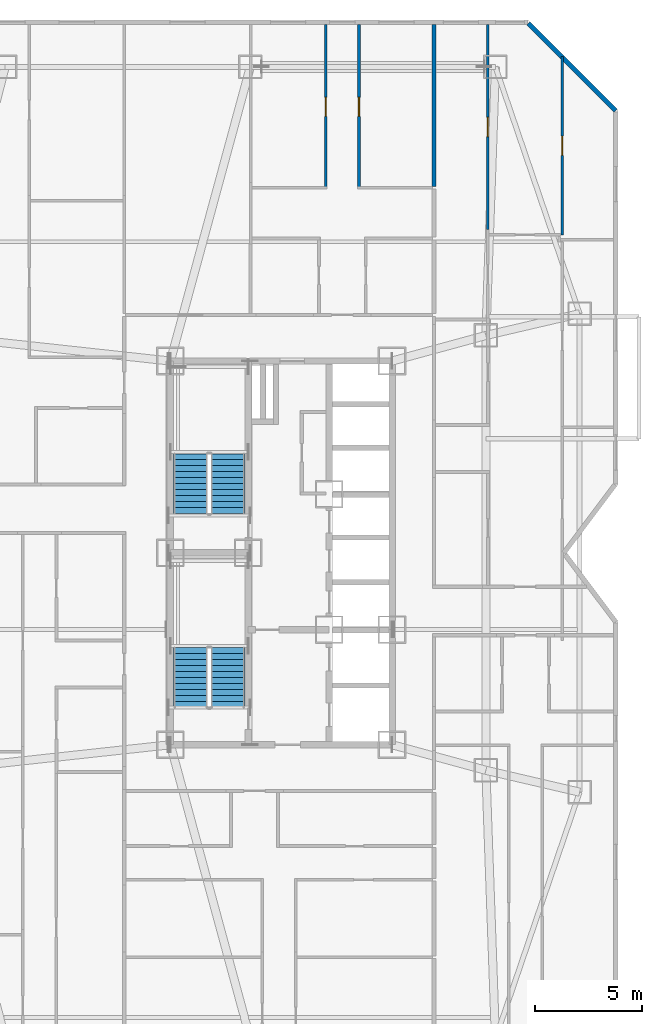
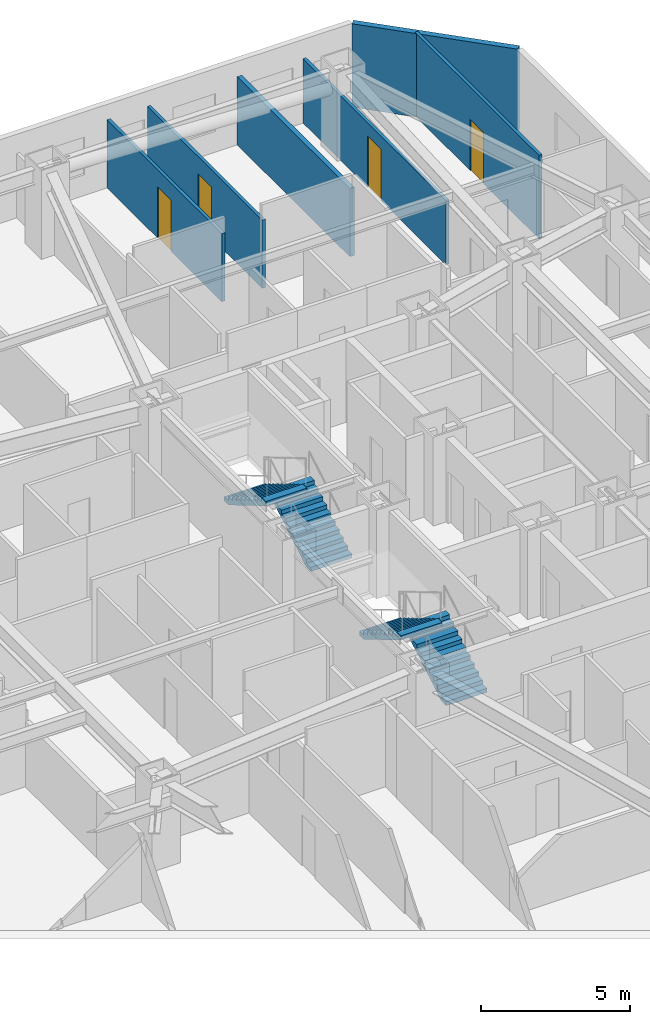
# One storey, part 12 of 13: 6 walls, 4 doors, 4 stair flights, 4 openings, 2 elements without a shape of their own.
"""IFC4 building model written with IfcOpenShell, lengths in metres."""

from ifc_helpers import new_model, si_unit, direction, frame, frame_2d, origin, place, context, subcontext, project, spatial, polyline, rectangle, outline, extrude, material, layer, layer_set, type_object, element, fill, aggregate, save


model = new_model("IFC4")

# Units and contexts
model_context = context("Model", 3, precision=1e-05, world=origin(), true_north=direction((0.0, 1.0)))
body_context = subcontext(model_context, "Body", "Model", "MODEL_VIEW")
ifc_project = project(units=[si_unit("LENGTHUNIT", "METRE"), si_unit("AREAUNIT", "SQUARE_METRE"), si_unit("VOLUMEUNIT", "CUBIC_METRE"), si_unit("PLANEANGLEUNIT", "RADIAN"), si_unit("MASSUNIT", "GRAM", prefix="KILO")], contexts=[model_context])

# Site, building, storey
site_placement = place(None, origin())
site = spatial("IfcSite", under=ifc_project, at=site_placement, CompositionType="ELEMENT")
building_placement = place(site_placement, origin())
building = spatial("IfcBuilding", under=site, at=building_placement, Name="Khamvora Tower", CompositionType="ELEMENT")
storey_placement = place(building_placement, frame((0.0, 0.0, 62.5)))
storey = spatial("IfcBuildingStorey", under=building, at=storey_placement, Name="L15", CompositionType="ELEMENT", Elevation=62.5)

# Walls
ifc_material_1 = material(Name="Acoustic Double-Stud Fire Wall", Category="gypsum")
ifc_layer_1 = layer(ifc_material_1, 0.179931640625)
ifc_layer_set_1 = layer_set([ifc_layer_1], Name="Acoustic Double-Stud Fire Wall")
wall_type_1 = type_object("IfcWallType", Name="WAL-CORR-180", PredefinedType="STANDARD", material=ifc_layer_set_1)
wall_1_placement = place(storey_placement, frame((41.364990234375, 52.7880859375, 0.0), z_axis=(0.0, 0.0, 1.0), x_axis=(0.0, -1.0, 0.0)))
element("IfcWall", 1, at=wall_1_placement, inside=storey, type_object=wall_type_1, Name="L15 interior partition wall 135", PredefinedType="STANDARD", context=body_context, shape_type="SweptSolid", body=[
    extrude(rectangle(XDim=7.59814453125, YDim=0.179931640625, at=frame_2d((3.799072265625, 0.0))), origin(), (0.0, 0.0, 1.0), 2.802978515625),
])
ifc_material_2 = material(Name="Precast concrete C40/50", Category="concrete")
ifc_layer_2 = layer(ifc_material_2, 0.219970703125)
ifc_layer_set_2 = layer_set([ifc_layer_2], Name="Precast concrete C40/50")
wall_type_2 = type_object("IfcWallType", Name="WAL-EXT-220", PredefinedType="STANDARD", material=ifc_layer_set_2)
wall_2_placement = place(storey_placement, frame((45.802001953125, 52.842041015625, 0.0), z_axis=(0.0, 0.0, 1.0), x_axis=(0.707085666273, -0.70712789547, 0.0)))
element("IfcWall", 2, at=wall_2_placement, inside=storey, type_object=wall_type_2, Name="L15 exterior facade wall 08.1", PredefinedType="STANDARD", context=body_context, shape_type="SweptSolid", body=[
    extrude(rectangle(XDim=5.78125, YDim=0.219970703125, at=frame_2d((2.890625, 0.0))), origin(), (0.0, 0.0, 1.0), 3.429931640625),
])

# Wall, opening, door
ifc_material_3 = material(Name="Gypsum Plasterboard Partition", Category="gypsum")
ifc_layer_3 = layer(ifc_material_3, 0.1201171875)
ifc_layer_set_3 = layer_set([ifc_layer_3], Name="Gypsum Plasterboard Partition")
wall_type_3 = type_object("IfcWallType", Name="WAL-PART-120", PredefinedType="PARTITIONING", material=ifc_layer_set_3)
wall_3_placement = place(storey_placement, frame((36.280029296875, 45.06005859375, 0.0), z_axis=(0.0, 0.0, 1.0), x_axis=(0.0, 1.0, 0.0)))
wall_3 = element("IfcWall", 3, at=wall_3_placement, inside=storey, type_object=wall_type_3, Name="L15 interior partition wall 130", PredefinedType="PARTITIONING", context=body_context, shape_type="SweptSolid", body=[
    extrude(rectangle(XDim=7.72802734375, YDim=0.1201171875, at=frame_2d((3.864013671875, 0.0))), origin(), (0.0, 0.0, 1.0), 2.802978515625),
])
opening_1_placement = place(wall_3_placement, frame((3.4140625, 0.0, 0.0)))
opening_1 = element("IfcOpeningElement", 4, at=opening_1_placement, cuts=wall_3, Name="Opening D-RM1", PredefinedType="OPENING", context=body_context, shape_type="SweptSolid", body=[
    extrude(rectangle(XDim=0.89990234375, YDim=2.10009765625, at=frame_2d((0.449951171875, 1.050048828125))), frame((0.0, 0.070068359375, 0.0), z_axis=(0.0, -1.0, 0.0), x_axis=(1.0, 0.0, 0.0)), (0.0, 0.0, 1.0), 0.14013671875),
])
ifc_material_4 = material(Name="Powder-Coated Steel and Hardwood Leaf", Category="steel")
door_type = type_object("IfcDoorType", Name="DOR-ROOM-900", OperationType="NOTDEFINED", PredefinedType="DOOR", material=ifc_material_4)
door_1_placement = place(opening_1_placement, origin())
door_1 = element("IfcDoor", 5, at=door_1_placement, inside=storey, type_object=door_type, Name="L15 interior door 15NAH-15NAL", OperationType="SINGLE_SWING_LEFT", OverallHeight=2.10009765625, OverallWidth=0.89990234375, PredefinedType="DOOR", context=body_context, shape_type="SweptSolid", body=[
    extrude(rectangle(XDim=0.89990234375, YDim=2.10009765625, at=frame_2d((0.449951171875, 1.050048828125))), frame((0.0, 0.02490234375, 0.0), z_axis=(0.0, -1.0, 0.0), x_axis=(1.0, 0.0, 0.0)), (0.0, 0.0, 1.0), 0.050048828125),
])
fill(opening_1, door_1)

wall_4_placement = place(storey_placement, frame((37.85009765625, 52.7880859375, 0.0), z_axis=(0.0, 0.0, 1.0), x_axis=(0.0, -1.0, 0.0)))
wall_4 = element("IfcWall", 6, at=wall_4_placement, inside=storey, type_object=wall_type_3, Name="L15 interior partition wall 131", PredefinedType="PARTITIONING", context=body_context, shape_type="SweptSolid", body=[
    extrude(rectangle(XDim=7.72802734375, YDim=0.1201171875, at=frame_2d((3.864013671875, 0.0))), origin(), (0.0, 0.0, 1.0), 2.802978515625),
])
opening_2_placement = place(wall_4_placement, frame((3.4140625, 0.0, 0.0)))
opening_2 = element("IfcOpeningElement", 7, at=opening_2_placement, cuts=wall_4, Name="Opening D-RM1", PredefinedType="OPENING", context=body_context, shape_type="SweptSolid", body=[
    extrude(rectangle(XDim=0.89990234375, YDim=2.10009765625, at=frame_2d((0.449951171875, 1.050048828125))), frame((0.0, 0.070068359375, 0.0), z_axis=(0.0, -1.0, 0.0), x_axis=(1.0, 0.0, 0.0)), (0.0, 0.0, 1.0), 0.14013671875),
])
door_2_placement = place(opening_2_placement, origin())
door_2 = element("IfcDoor", 8, at=door_2_placement, inside=storey, type_object=door_type, Name="L15 interior door 15NAH-15NAR2", OperationType="SINGLE_SWING_RIGHT", OverallHeight=2.10009765625, OverallWidth=0.89990234375, PredefinedType="DOOR", context=body_context, shape_type="SweptSolid", body=[
    extrude(rectangle(XDim=0.89990234375, YDim=2.10009765625, at=frame_2d((0.449951171875, 1.050048828125))), frame((0.0, 0.02490234375, 0.0), z_axis=(0.0, -1.0, 0.0), x_axis=(1.0, 0.0, 0.0)), (0.0, 0.0, 1.0), 0.050048828125),
])
fill(opening_2, door_2)

wall_5_placement = place(storey_placement, frame((43.89501953125, 52.7880859375, 0.0), z_axis=(0.0, 0.0, 1.0), x_axis=(0.0, -1.0, 0.0)))
wall_5 = element("IfcWall", 9, at=wall_5_placement, inside=storey, type_object=wall_type_3, Name="L15 interior partition wall 145", PredefinedType="PARTITIONING", context=body_context, shape_type="SweptSolid", body=[
    extrude(rectangle(XDim=9.6201171875, YDim=0.1201171875, at=frame_2d((4.81005859375, 0.0))), origin(), (0.0, 0.0, 1.0), 2.64697265625),
])
opening_3_placement = place(wall_5_placement, frame((4.360107421875, 0.0, 0.0)))
opening_3 = element("IfcOpeningElement", 10, at=opening_3_placement, cuts=wall_5, Name="Opening D-RM1", PredefinedType="OPENING", context=body_context, shape_type="SweptSolid", body=[
    extrude(rectangle(XDim=0.89990234375, YDim=2.10009765625, at=frame_2d((0.449951171875, 1.050048828125))), frame((0.0, 0.070068359375, 0.0), z_axis=(0.0, -1.0, 0.0), x_axis=(1.0, 0.0, 0.0)), (0.0, 0.0, 1.0), 0.14013671875),
])
door_3_placement = place(opening_3_placement, origin())
door_3 = element("IfcDoor", 11, at=door_3_placement, inside=storey, type_object=door_type, Name="L15 interior door 15EBW2-15EBD", OperationType="SINGLE_SWING_RIGHT", OverallHeight=2.10009765625, OverallWidth=0.89990234375, PredefinedType="DOOR", context=body_context, shape_type="SweptSolid", body=[
    extrude(rectangle(XDim=0.89990234375, YDim=2.10009765625, at=frame_2d((0.449951171875, 1.050048828125))), frame((0.0, 0.02490234375, 0.0), z_axis=(0.0, -1.0, 0.0), x_axis=(1.0, 0.0, 0.0)), (0.0, 0.0, 1.0), 0.050048828125),
])
fill(opening_3, door_3)

wall_6_placement = place(storey_placement, frame((47.375, 51.278076171875, 0.0), z_axis=(0.0, 0.0, 1.0), x_axis=(0.0, -1.0, 0.0)))
wall_6 = element("IfcWall", 12, at=wall_6_placement, inside=storey, type_object=wall_type_3, Name="L15 interior partition wall 155", PredefinedType="PARTITIONING", context=body_context, shape_type="SweptSolid", body=[
    extrude(rectangle(XDim=8.359130859375, YDim=0.1201171875, at=frame_2d((4.1796875, 0.0))), origin(), (0.0, 0.0, 1.0), 3.429931640625),
])
opening_4_placement = place(wall_6_placement, frame((3.72900390625, 0.0, 0.0)))
opening_4 = element("IfcOpeningElement", 13, at=opening_4_placement, cuts=wall_6, Name="Opening D-RM1", PredefinedType="OPENING", context=body_context, shape_type="SweptSolid", body=[
    extrude(rectangle(XDim=0.89990234375, YDim=2.10009765625, at=frame_2d((0.449951171875, 1.050048828125))), frame((0.0, 0.070068359375, 0.0), z_axis=(0.0, -1.0, 0.0), x_axis=(1.0, 0.0, 0.0)), (0.0, 0.0, 1.0), 0.14013671875),
])
door_4_placement = place(opening_4_placement, origin())
door_4 = element("IfcDoor", 14, at=door_4_placement, inside=storey, type_object=door_type, Name="L15 interior door 15EBD-15EBR3", OperationType="SINGLE_SWING_RIGHT", OverallHeight=2.10009765625, OverallWidth=0.89990234375, PredefinedType="DOOR", context=body_context, shape_type="SweptSolid", body=[
    extrude(rectangle(XDim=0.89990234375, YDim=2.10009765625, at=frame_2d((0.449951171875, 1.050048828125))), frame((0.0, 0.02490234375, 0.0), z_axis=(0.0, -1.0, 0.0), x_axis=(1.0, 0.0, 0.0)), (0.0, 0.0, 1.0), 0.050048828125),
])
fill(opening_4, door_4)

# Stair, stair flights
ifc_material_5 = material(Name="Concrete C40/50", Category="concrete")
stair_type_1 = type_object("IfcStairType", Name="STR-ST-01", PredefinedType="HALF_TURN_STAIR", material=ifc_material_5)
stair_1_placement = place(storey_placement, origin())
stair_1 = element("IfcStair", 15, at=stair_1_placement, inside=storey, type_object=stair_type_1, Name="L15 South Tower Exit Stair ST-01", PredefinedType="HALF_TURN_STAIR")
stair_flight_type_1 = type_object("IfcStairFlightType", Name="STF-ST-01", PredefinedType="STRAIGHT", material=ifc_material_5)
stair_flight_1_placement = place(storey_placement, frame((31.699951171875, 20.75, 0.0), z_axis=(0.0, 0.0, 1.0), x_axis=(0.0, 1.0, 0.0)))
stair_flight_1 = element("IfcStairFlight", 16, at=stair_flight_1_placement, type_object=stair_flight_type_1, Name="ST-01 flight 1", NumberOfRisers=11, NumberOfTreads=10, PredefinedType="STRAIGHT", RiserHeight=0.165909091, TreadLength=0.28, context=body_context, shape_type="SweptSolid", body=[
    extrude(outline(polyline([(0.0, 0.0), (0.0, 0.166015625), (0.280029296875, 0.166015625), (0.280029296875, 0.331787109375), (0.56005859375, 0.331787109375), (0.56005859375, 0.497802734375), (0.840087890625, 0.497802734375), (0.840087890625, 0.66357421875), (1.1201171875, 0.66357421875), (1.1201171875, 0.82958984375), (1.39990234375, 0.82958984375), (1.39990234375, 0.995361328125), (1.679931640625, 0.995361328125), (1.679931640625, 1.161376953125), (1.9599609375, 1.161376953125), (1.9599609375, 1.327392578125), (2.239990234375, 1.327392578125), (2.239990234375, 1.4931640625), (2.52001953125, 1.4931640625), (2.52001953125, 1.6591796875), (2.800048828125, 1.6591796875), (2.800048828125, 1.824951171875), (2.800048828125, 1.48486328125), (0.2939453125, 0.0), (0.0, 0.0)])), frame((0.0, 0.800048828125, 0.0), z_axis=(0.0, -1.0, 0.0), x_axis=(1.0, 0.0, 0.0)), (0.0, 0.0, 1.0), 1.60009765625),
])
stair_flight_2_placement = place(storey_placement, frame((29.949951171875, 23.550048828125, 1.824951171875), z_axis=(0.0, 0.0, 1.0), x_axis=(0.0, -1.0, 0.0)))
stair_flight_2 = element("IfcStairFlight", 17, at=stair_flight_2_placement, type_object=stair_flight_type_1, Name="ST-01 flight 2", NumberOfRisers=11, NumberOfTreads=10, PredefinedType="STRAIGHT", RiserHeight=0.165909091, TreadLength=0.28, context=body_context, shape_type="SweptSolid", body=[
    extrude(outline(polyline([(0.0, 0.0), (0.0, 0.166015625), (0.280029296875, 0.166015625), (0.280029296875, 0.331787109375), (0.56005859375, 0.331787109375), (0.56005859375, 0.497802734375), (0.840087890625, 0.497802734375), (0.840087890625, 0.66357421875), (1.1201171875, 0.66357421875), (1.1201171875, 0.82958984375), (1.39990234375, 0.82958984375), (1.39990234375, 0.995361328125), (1.679931640625, 0.995361328125), (1.679931640625, 1.161376953125), (1.9599609375, 1.161376953125), (1.9599609375, 1.327392578125), (2.239990234375, 1.327392578125), (2.239990234375, 1.4931640625), (2.52001953125, 1.4931640625), (2.52001953125, 1.6591796875), (2.800048828125, 1.6591796875), (2.800048828125, 1.824951171875), (2.800048828125, 1.48486328125), (0.2939453125, 0.0), (0.0, 0.0)])), frame((0.0, 0.800048828125, 0.0), z_axis=(0.0, -1.0, 0.0), x_axis=(1.0, 0.0, 0.0)), (0.0, 0.0, 1.0), 1.60009765625),
])
aggregate(stair_1, [stair_flight_1, stair_flight_2])

stair_type_2 = type_object("IfcStairType", Name="STR-ST-02", PredefinedType="HALF_TURN_STAIR", material=ifc_material_5)
stair_2_placement = place(storey_placement, origin())
stair_2 = element("IfcStair", 18, at=stair_2_placement, inside=storey, type_object=stair_type_2, Name="L15 North Tower Exit Stair ST-02", PredefinedType="HALF_TURN_STAIR")
stair_flight_type_2 = type_object("IfcStairFlightType", Name="STF-ST-02", PredefinedType="STRAIGHT", material=ifc_material_5)
stair_flight_3_placement = place(storey_placement, frame((31.699951171875, 29.85009765625, 0.0), z_axis=(0.0, 0.0, 1.0), x_axis=(0.0, 1.0, 0.0)))
stair_flight_3 = element("IfcStairFlight", 19, at=stair_flight_3_placement, type_object=stair_flight_type_2, Name="ST-02 flight 1", NumberOfRisers=11, NumberOfTreads=10, PredefinedType="STRAIGHT", RiserHeight=0.165909091, TreadLength=0.28, context=body_context, shape_type="SweptSolid", body=[
    extrude(outline(polyline([(0.0, 0.0), (0.0, 0.166015625), (0.280029296875, 0.166015625), (0.280029296875, 0.331787109375), (0.56005859375, 0.331787109375), (0.56005859375, 0.497802734375), (0.840087890625, 0.497802734375), (0.840087890625, 0.66357421875), (1.1201171875, 0.66357421875), (1.1201171875, 0.82958984375), (1.39990234375, 0.82958984375), (1.39990234375, 0.995361328125), (1.679931640625, 0.995361328125), (1.679931640625, 1.161376953125), (1.9599609375, 1.161376953125), (1.9599609375, 1.327392578125), (2.239990234375, 1.327392578125), (2.239990234375, 1.4931640625), (2.52001953125, 1.4931640625), (2.52001953125, 1.6591796875), (2.800048828125, 1.6591796875), (2.800048828125, 1.824951171875), (2.800048828125, 1.48486328125), (0.2939453125, 0.0), (0.0, 0.0)])), frame((0.0, 0.800048828125, 0.0), z_axis=(0.0, -1.0, 0.0), x_axis=(1.0, 0.0, 0.0)), (0.0, 0.0, 1.0), 1.60009765625),
])
stair_flight_4_placement = place(storey_placement, frame((29.949951171875, 32.64990234375, 1.824951171875), z_axis=(0.0, 0.0, 1.0), x_axis=(0.0, -1.0, 0.0)))
stair_flight_4 = element("IfcStairFlight", 20, at=stair_flight_4_placement, type_object=stair_flight_type_2, Name="ST-02 flight 2", NumberOfRisers=11, NumberOfTreads=10, PredefinedType="STRAIGHT", RiserHeight=0.165909091, TreadLength=0.28, context=body_context, shape_type="SweptSolid", body=[
    extrude(outline(polyline([(0.0, 0.0), (0.0, 0.166015625), (0.280029296875, 0.166015625), (0.280029296875, 0.331787109375), (0.56005859375, 0.331787109375), (0.56005859375, 0.497802734375), (0.840087890625, 0.497802734375), (0.840087890625, 0.66357421875), (1.1201171875, 0.66357421875), (1.1201171875, 0.82958984375), (1.39990234375, 0.82958984375), (1.39990234375, 0.995361328125), (1.679931640625, 0.995361328125), (1.679931640625, 1.161376953125), (1.9599609375, 1.161376953125), (1.9599609375, 1.327392578125), (2.239990234375, 1.327392578125), (2.239990234375, 1.4931640625), (2.52001953125, 1.4931640625), (2.52001953125, 1.6591796875), (2.800048828125, 1.6591796875), (2.800048828125, 1.824951171875), (2.800048828125, 1.48486328125), (0.2939453125, 0.0), (0.0, 0.0)])), frame((0.0, 0.800048828125, 0.0), z_axis=(0.0, -1.0, 0.0), x_axis=(1.0, 0.0, 0.0)), (0.0, 0.0, 1.0), 1.60009765625),
])
aggregate(stair_2, [stair_flight_3, stair_flight_4])

save(model, "model.ifc")
